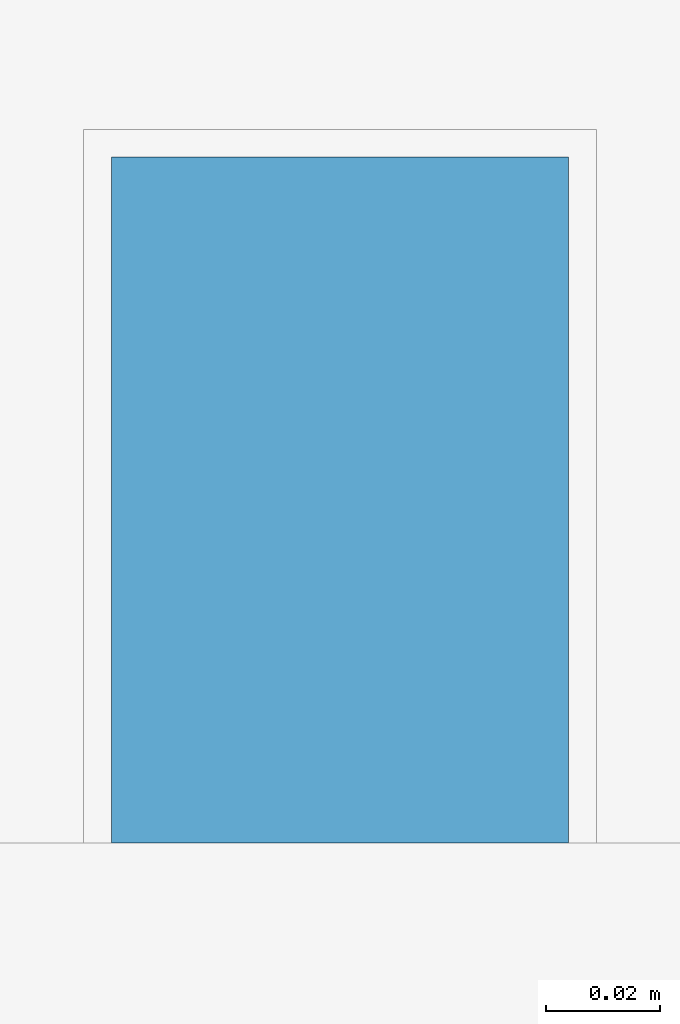
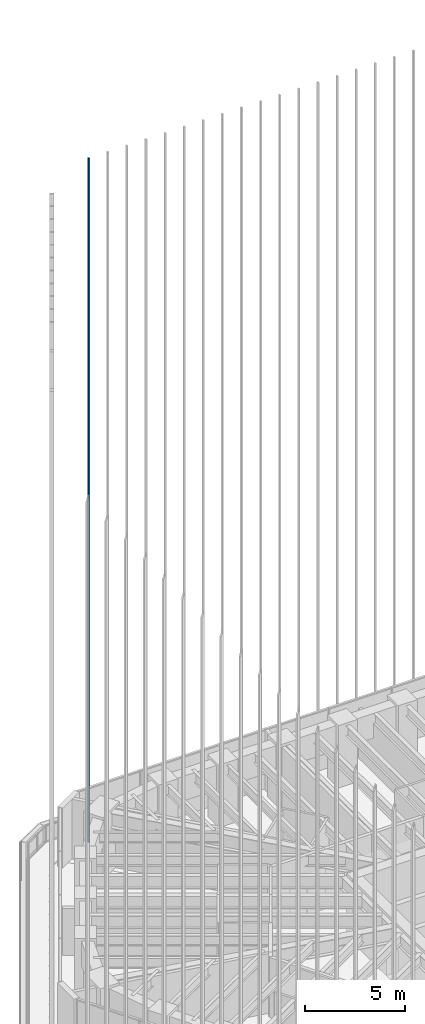
# One storey, part 64 of 127: 1 member, 1 element without a shape of its own.
"""IFC4 building model written with IfcOpenShell, lengths in metres."""

from ifc_helpers import new_model, si_unit, direction, frame, origin, origin_2d, place, context, subcontext, project, spatial, rectangle, extrude, material, material_profile, profile_set, type_object, element, aggregate, save


model = new_model("IFC4")

# Units and contexts
model_context = context("Model", 3, precision=1e-05, world=origin(), true_north=direction((0.0, 1.0)))
body_context = subcontext(model_context, "Body", "Model", "MODEL_VIEW")
ifc_project = project(units=[si_unit("LENGTHUNIT", "METRE"), si_unit("AREAUNIT", "SQUARE_METRE"), si_unit("VOLUMEUNIT", "CUBIC_METRE"), si_unit("PLANEANGLEUNIT", "RADIAN"), si_unit("MASSUNIT", "GRAM", prefix="KILO")], contexts=[model_context])

# Site, building, storey
site_placement = place(None, origin())
site = spatial("IfcSite", under=ifc_project, at=site_placement, CompositionType="ELEMENT")
building_placement = place(site_placement, origin())
building = spatial("IfcBuilding", under=site, at=building_placement, Name="Sandreach Pilgrim Tower", CompositionType="ELEMENT")
storey_placement = place(building_placement, frame((0.0, 0.0, 257.0)))
storey = spatial("IfcBuildingStorey", under=building, at=storey_placement, Name="L64", CompositionType="ELEMENT", Elevation=257.0)

# Curtain wall, member
ifc_material_1 = material(Name="Aluminium framed curtain wall", Category="aluminium")
curtain_wall_type = type_object("IfcCurtainWallType", Name="Suite tower curtain wall", PredefinedType="NOTDEFINED", material=ifc_material_1)
curtain_wall_placement = place(storey_placement, origin())
curtain_wall = element("IfcCurtainWall", 1, at=curtain_wall_placement, inside=storey, type_object=curtain_wall_type, Name="CW-4 L64 N", PredefinedType="NOTDEFINED")
ifc_material_2 = material(Name="Extruded terracotta on aluminium core", Category="masonry")
ifc_material_profile = material_profile(ifc_material_2, rectangle(XDim=0.080078125, YDim=0.1201171875, at=origin_2d()), Name="TBN 80X120")
ifc_profile_set = profile_set([ifc_material_profile], Name="Extruded terracotta on aluminium core")
member_type = type_object("IfcMemberType", Name="Terracotta baguette north", PredefinedType="USERDEFINED", material=ifc_profile_set)
member_placement = place(storey_placement, frame((-15.40576171875, 20.1865234375, 0.0), z_axis=(0.0, 0.0, 1.0), x_axis=(1.0, 0.0, 0.0)))
member = element("IfcMember", 2, at=member_placement, type_object=member_type, Name="Baguette Z4 N01", ObjectType="BAGUETTE", PredefinedType="USERDEFINED", context=body_context, shape_type="SweptSolid", body=[
    extrude(rectangle(XDim=0.080078125, YDim=0.1201171875, at=origin_2d()), origin(), (0.0, 0.0, 1.0), 41.639892578125),
])
aggregate(curtain_wall, [member])

save(model, "model.ifc")
